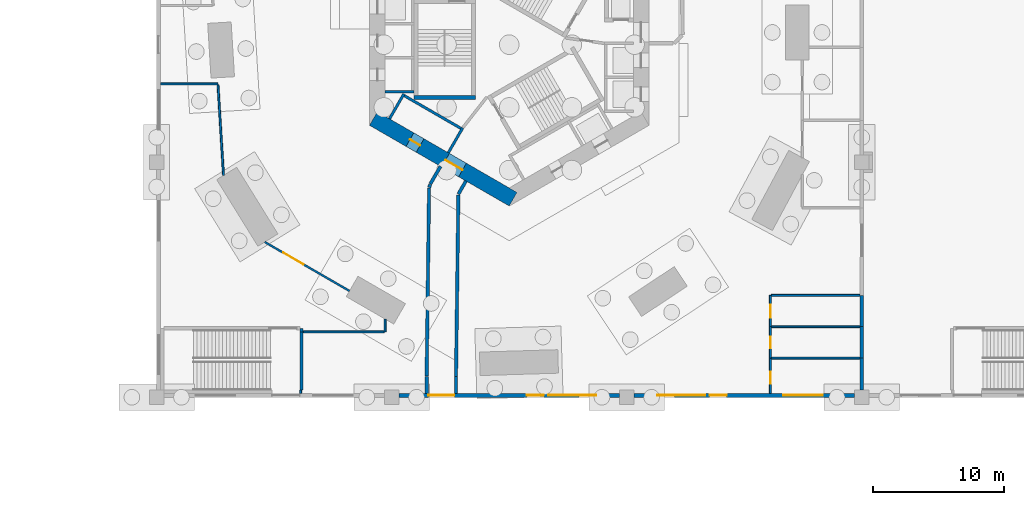
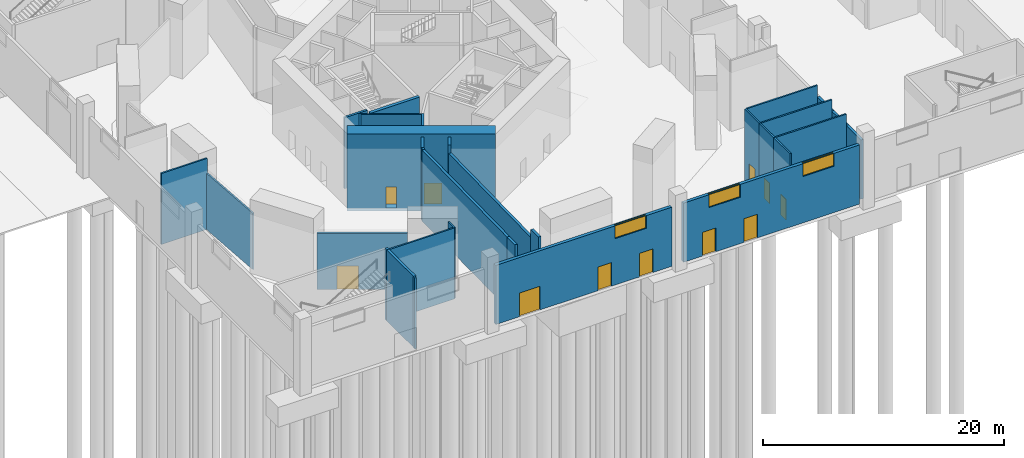
# One storey, part 6 of 16: 32 walls, 11 doors, 3 windows, 14 openings.
"""IFC4 building model written with IfcOpenShell, lengths in metres."""

from ifc_helpers import new_model, si_unit, direction, frame, frame_2d, origin, place, context, subcontext, project, spatial, rectangle, extrude, material, layer, layer_set, type_object, element, fill, save


model = new_model("IFC4")

# Units and contexts
model_context = context("Model", 3, precision=1e-05, world=origin(), true_north=direction((0.0, 1.0)))
body_context = subcontext(model_context, "Body", "Model", "MODEL_VIEW")
ifc_project = project(units=[si_unit("LENGTHUNIT", "METRE"), si_unit("AREAUNIT", "SQUARE_METRE"), si_unit("VOLUMEUNIT", "CUBIC_METRE"), si_unit("PLANEANGLEUNIT", "RADIAN"), si_unit("MASSUNIT", "GRAM", prefix="KILO")], contexts=[model_context])

# Site, building, storey
site_placement = place(None, origin())
site = spatial("IfcSite", under=ifc_project, at=site_placement, CompositionType="ELEMENT")
building_placement = place(site_placement, origin())
building = spatial("IfcBuilding", under=site, at=building_placement, Name="Vanh Sen Convention Tower", CompositionType="ELEMENT")
storey_placement = place(building_placement, origin())
storey = spatial("IfcBuildingStorey", under=building, at=storey_placement, Name="L00", CompositionType="ELEMENT", Elevation=0.0)

# Walls
ifc_material_1 = material(Name="Concrete C40/50", Category="concrete")
ifc_layer_1 = layer(ifc_material_1, 0.25)
ifc_layer_set_1 = layer_set([ifc_layer_1], Name="Concrete C40/50")
wall_type_1 = type_object("IfcWallType", Name="Concrete wall 250 EI 180", PredefinedType="SOLIDWALL", material=ifc_layer_set_1)
wall_1_placement = place(storey_placement, frame((27.0, -26.449951171875, 0.0), z_axis=(0.0, 0.0, 1.0), x_axis=(0.0, 1.0, 0.0)))
element("IfcWall", 1, at=wall_1_placement, inside=storey, type_object=wall_type_1, Name="Fire-resisting wall L00-003", PredefinedType="SOLIDWALL", context=body_context, shape_type="SweptSolid", body=[
    extrude(rectangle(XDim=2.449951171875, YDim=0.25, at=frame_2d((1.22509765625, 0.0))), origin(), (0.0, 0.0, 1.0), 6.0),
])
wall_2_placement = place(storey_placement, frame((27.0, -24.0, 0.0), z_axis=(0.0, 0.0, 1.0), x_axis=(0.0, 1.0, 0.0)))
element("IfcWall", 2, at=wall_2_placement, inside=storey, type_object=wall_type_1, Name="Fire-resisting wall L00-009", PredefinedType="SOLIDWALL", context=body_context, shape_type="SweptSolid", body=[
    extrude(rectangle(XDim=2.39990234375, YDim=0.25, at=frame_2d((1.199951171875, 0.0))), origin(), (0.0, 0.0, 1.0), 6.0),
])
wall_3_placement = place(storey_placement, frame((27.0, -21.60009765625, 0.0), z_axis=(0.0, 0.0, 1.0), x_axis=(0.0, 1.0, 0.0)))
element("IfcWall", 3, at=wall_3_placement, inside=storey, type_object=wall_type_1, Name="Fire-resisting wall L00-017", PredefinedType="SOLIDWALL", context=body_context, shape_type="SweptSolid", body=[
    extrude(rectangle(XDim=2.400146484375, YDim=0.25, at=frame_2d((1.2001953125, 0.0))), origin(), (0.0, 0.0, 1.0), 6.0),
])
ifc_layer_2 = layer(ifc_material_1, 0.25)
ifc_layer_set_2 = layer_set([ifc_layer_2], Name="Concrete C40/50")
wall_type_2 = type_object("IfcWallType", Name="Concrete wall 250 REI 180", PredefinedType="SOLIDWALL", material=ifc_layer_set_2)
wall_4_placement = place(storey_placement, frame((-6.324951171875, -26.699951171875, 0.0), z_axis=(0.0, 0.0, 1.0), x_axis=(0.0, 1.0, 0.0)))
element("IfcWall", 4, at=wall_4_placement, inside=storey, type_object=wall_type_2, Name="Fire-resisting wall L00-001", PredefinedType="SOLIDWALL", context=body_context, shape_type="SweptSolid", body=[
    extrude(rectangle(XDim=1.303466796875, YDim=0.25, at=frame_2d((0.65185546875, 0.0))), origin(), (0.0, 0.0, 1.0), 7.199951171875),
])
wall_5_placement = place(storey_placement, frame((-4.074951171875, -25.427490234375, 0.0), z_axis=(0.0, 0.0, 1.0), x_axis=(0.0, -1.0, 0.0)))
element("IfcWall", 5, at=wall_5_placement, inside=storey, type_object=wall_type_2, Name="Fire-resisting wall L00-005", PredefinedType="SOLIDWALL", context=body_context, shape_type="SweptSolid", body=[
    extrude(rectangle(XDim=1.2724609375, YDim=0.25, at=frame_2d((0.63623046875, 0.0))), origin(), (0.0, 0.0, 1.0), 7.199951171875),
])
wall_6_placement = place(storey_placement, frame((-6.324951171875, -25.388916015625, 0.0), z_axis=(0.0, 0.0, 1.0), x_axis=(0.013041558947, 0.999914955254, 0.0)))
element("IfcWall", 6, at=wall_6_placement, inside=storey, type_object=wall_type_2, Name="Fire-resisting wall L00-006", PredefinedType="SOLIDWALL", context=body_context, shape_type="SweptSolid", body=[
    extrude(rectangle(XDim=14.41455078125, YDim=0.25, at=frame_2d((7.207275390625, 0.0))), origin(), (0.0, 0.0, 1.0), 7.199951171875),
])
wall_7_placement = place(storey_placement, frame((-15.89990234375, -22.0, 0.0), z_axis=(0.0, 0.0, 1.0), x_axis=(0.0, -1.0, 0.0)))
element("IfcWall", 7, at=wall_7_placement, inside=storey, type_object=wall_type_2, Name="Fire-resisting wall L00-010", PredefinedType="SOLIDWALL", context=body_context, shape_type="SweptSolid", body=[
    extrude(rectangle(XDim=4.43994140625, YDim=0.25, at=frame_2d((2.219970703125, 0.0))), origin(), (0.0, 0.0, 1.0), 7.199951171875),
])
wall_8_placement = place(storey_placement, frame((-15.89990234375, -21.72509765625, 0.0), z_axis=(0.0, 0.0, 1.0), x_axis=(0.0, -1.0, 0.0)))
element("IfcWall", 8, at=wall_8_placement, inside=storey, type_object=wall_type_2, Name="Fire-resisting wall L00-013", PredefinedType="SOLIDWALL", context=body_context, shape_type="SweptSolid", body=[
    extrude(rectangle(XDim=0.27490234375, YDim=0.25, at=frame_2d((0.137451171875, 0.0))), origin(), (0.0, 0.0, 1.0), 7.199951171875),
])
wall_9_placement = place(storey_placement, frame((-3.893798828125, -11.5029296875, 0.0), z_axis=(0.0, 0.0, 1.0), x_axis=(-0.013027180936, -0.999915142678, 0.0)))
element("IfcWall", 9, at=wall_9_placement, inside=storey, type_object=wall_type_2, Name="Fire-resisting wall L00-025", PredefinedType="SOLIDWALL", context=body_context, shape_type="SweptSolid", body=[
    extrude(rectangle(XDim=13.90576171875, YDim=0.25, at=frame_2d((6.952880859375, 0.0))), origin(), (0.0, 0.0, 1.0), 6.39990234375),
])
wall_10_placement = place(storey_placement, frame((-6.12646484375, -10.93701171875, 0.0), z_axis=(0.0, 0.0, 1.0), x_axis=(0.265362064493, 0.964148834324, 0.0)))
element("IfcWall", 10, at=wall_10_placement, inside=storey, type_object=wall_type_2, Name="Fire-resisting wall L00-026", PredefinedType="SOLIDWALL", context=body_context, shape_type="SweptSolid", body=[
    extrude(rectangle(XDim=0.248291015625, YDim=0.25, at=frame_2d((0.1240234375, 0.0))), origin(), (0.0, 0.0, 1.0), 7.199951171875),
])
wall_11_placement = place(storey_placement, frame((-6.04052734375, -10.662841796875, 0.0), z_axis=(0.0, 0.0, 1.0), x_axis=(0.499871995438, 0.866099294641, 0.0)))
element("IfcWall", 11, at=wall_11_placement, inside=storey, type_object=wall_type_2, Name="Fire-resisting wall L00-027", PredefinedType="SOLIDWALL", context=body_context, shape_type="SweptSolid", body=[
    extrude(rectangle(XDim=1.5546875, YDim=0.25, at=frame_2d((0.77734375, 0.0))), origin(), (0.0, 0.0, 1.0), 7.199951171875),
])
wall_12_placement = place(storey_placement, frame((-3.31494140625, -10.44140625, 0.0), z_axis=(0.0, 0.0, 1.0), x_axis=(-0.499862549262, -0.866104746463, 0.0)))
element("IfcWall", 12, at=wall_12_placement, inside=storey, type_object=wall_type_2, Name="Fire-resisting wall L00-028", PredefinedType="SOLIDWALL", context=body_context, shape_type="SweptSolid", body=[
    extrude(rectangle(XDim=1.156494140625, YDim=0.25, at=frame_2d((0.578125, 0.0))), origin(), (0.0, 0.0, 1.0), 7.199951171875),
])
wall_13_placement = place(storey_placement, frame((-16.050048828125, -26.574951171875, 0.0), z_axis=(0.0, 0.0, 1.0), x_axis=(1.0, 0.0, 0.0)))
element("IfcWall", 13, at=wall_13_placement, inside=storey, type_object=wall_type_2, Name="Stair enclosure wall PS6 L00", PredefinedType="SOLIDWALL", context=body_context, shape_type="SweptSolid", body=[
    extrude(rectangle(XDim=0.150146484375, YDim=0.25, at=frame_2d((0.0751953125, 0.0))), origin(), (0.0, 0.0, 1.0), 7.199951171875),
])

# Wall, openings, doors
ifc_material_2 = material(Name="Concrete C80/95", Category="concrete")
ifc_layer_3 = layer(ifc_material_2, 1.199951171875)
ifc_layer_set_3 = layer_set([ifc_layer_3], Name="Concrete C80/95")
wall_type_3 = type_object("IfcWallType", Name="Core outer wall 1200 C80/95", PredefinedType="SHEAR", material=ifc_layer_set_3)
wall_14_placement = place(storey_placement, frame((-10.39990234375, -5.657958984375, -0.300048828125), z_axis=(0.0, 0.0, 1.0), x_axis=(0.866021384402, -0.500006961711, 0.0)))
wall_14 = element("IfcWall", 14, at=wall_14_placement, inside=storey, type_object=wall_type_3, Name="Core wall face SW L00", PredefinedType="SHEAR", context=body_context, shape_type="SweptSolid", body=[
    extrude(rectangle(XDim=12.355224609375, YDim=1.199951171875, at=frame_2d((6.177734375, 0.0))), origin(), (0.0, 0.0, 1.0), 7.800048828125),
])
opening_1_placement = place(wall_14_placement, frame((6.377685546875, 0.0, 0.300048828125)))
opening_1 = element("IfcOpeningElement", 15, at=opening_1_placement, cuts=wall_14, Name="Opening D00003", PredefinedType="OPENING", context=body_context, shape_type="SweptSolid", body=[
    extrude(rectangle(XDim=1.5, YDim=2.10009765625, at=frame_2d((0.75, 1.050048828125))), frame((0.0, 0.60986328125, 0.0), z_axis=(0.0, -1.0, 0.0), x_axis=(1.0, 0.0, 0.0)), (0.0, 0.0, 1.0), 1.219970703125),
])
opening_2_placement = place(wall_14_placement, frame((3.227783203125, 0.0, 0.300048828125)))
opening_2 = element("IfcOpeningElement", 16, at=opening_2_placement, cuts=wall_14, Name="Opening D00010", PredefinedType="OPENING", context=body_context, shape_type="SweptSolid", body=[
    extrude(rectangle(XDim=0.89990234375, YDim=2.10009765625, at=frame_2d((0.449951171875, 1.050048828125))), frame((0.0, 0.60986328125, 0.0), z_axis=(0.0, -1.0, 0.0), x_axis=(1.0, 0.0, 0.0)), (0.0, 0.0, 1.0), 1.219970703125),
])
ifc_material_3 = material(Name="Steel S355", Category="steel")
door_type_1 = type_object("IfcDoorType", Name="Plant door 900", OperationType="SINGLE_SWING_LEFT", PredefinedType="DOOR", material=ifc_material_3)
door_1_placement = place(opening_2_placement, origin())
door_1 = element("IfcDoor", 17, at=door_1_placement, inside=storey, type_object=door_type_1, Name="Plant door D00010", OperationType="SINGLE_SWING_LEFT", OverallHeight=2.10009765625, OverallWidth=0.89990234375, PredefinedType="DOOR", context=body_context, shape_type="SweptSolid", body=[
    extrude(rectangle(XDim=0.89990234375, YDim=2.10009765625, at=frame_2d((0.449951171875, 1.050048828125))), frame((0.0, 0.02490234375, 0.0), z_axis=(0.0, -1.0, 0.0), x_axis=(1.0, 0.0, 0.0)), (0.0, 0.0, 1.0), 0.050048828125),
])
fill(opening_2, door_1)
door_type_2 = type_object("IfcDoorType", Name="Stair lobby door 1500", OperationType="DOUBLE_DOOR_SINGLE_SWING", PredefinedType="DOOR", material=ifc_material_3)
door_2_placement = place(opening_1_placement, origin())
door_2 = element("IfcDoor", 18, at=door_2_placement, inside=storey, type_object=door_type_2, Name="Stair lobby door D00003", OperationType="DOUBLE_DOOR_SINGLE_SWING", OverallHeight=2.10009765625, OverallWidth=1.5, PredefinedType="DOOR", context=body_context, shape_type="SweptSolid", body=[
    extrude(rectangle(XDim=1.5, YDim=2.10009765625, at=frame_2d((0.75, 1.050048828125))), frame((0.0, 0.02490234375, 0.0), z_axis=(0.0, -1.0, 0.0), x_axis=(1.0, 0.0, 0.0)), (0.0, 0.0, 1.0), 0.050048828125),
])
fill(opening_1, door_2)

# Walls
ifc_layer_4 = layer(ifc_material_1, 0.199951171875)
ifc_layer_set_4 = layer_set([ifc_layer_4], Name="Concrete C40/50")
wall_type_4 = type_object("IfcWallType", Name="Lift shaft wall 200", PredefinedType="PARTITIONING", material=ifc_layer_set_4)
wall_15_placement = place(storey_placement, frame((-7.300048828125, -3.60009765625, 0.0), z_axis=(0.0, 0.0, 1.0), x_axis=(-1.0, 0.0, 0.0)))
element("IfcWall", 19, at=wall_15_placement, inside=storey, type_object=wall_type_4, Name="Lift shaft wall L00", PredefinedType="PARTITIONING", context=body_context, shape_type="SweptSolid", body=[
    extrude(rectangle(XDim=2.199951171875, YDim=0.199951171875, at=frame_2d((1.10009765625, 0.0))), origin(), (0.0, 0.0, 1.0), 7.199951171875),
])
wall_16_placement = place(storey_placement, frame((-8.203369140625, -3.80859375, 0.0), z_axis=(0.0, 0.0, 1.0), x_axis=(0.866028230842, -0.499995103361, 0.0)))
element("IfcWall", 20, at=wall_16_placement, inside=storey, type_object=wall_type_4, Name="Lift shaft wall L00", PredefinedType="PARTITIONING", context=body_context, shape_type="SweptSolid", body=[
    extrude(rectangle(XDim=5.39990234375, YDim=0.199951171875, at=frame_2d((2.699951171875, 0.0))), origin(), (0.0, 0.0, 1.0), 7.199951171875),
])
wall_17_placement = place(storey_placement, frame((-8.066650390625, -3.77197265625, 0.0), z_axis=(0.0, 0.0, 1.0), x_axis=(-0.50002983664, -0.866008176907, 0.0)))
element("IfcWall", 21, at=wall_17_placement, inside=storey, type_object=wall_type_4, Name="Lift shaft wall L00", PredefinedType="PARTITIONING", context=body_context, shape_type="SweptSolid", body=[
    extrude(rectangle(XDim=2.199951171875, YDim=0.199951171875, at=frame_2d((1.10009765625, 0.0))), origin(), (0.0, 0.0, 1.0), 7.199951171875),
])
wall_18_placement = place(storey_placement, frame((-3.5634765625, -6.3720703125, 0.0), z_axis=(0.0, 0.0, 1.0), x_axis=(-0.499994660107, -0.866028486751, 0.0)))
element("IfcWall", 22, at=wall_18_placement, inside=storey, type_object=wall_type_4, Name="Lift shaft wall L00", PredefinedType="PARTITIONING", context=body_context, shape_type="SweptSolid", body=[
    extrude(rectangle(XDim=2.19970703125, YDim=0.199951171875, at=frame_2d((1.099853515625, 0.0))), origin(), (0.0, 0.0, 1.0), 7.199951171875),
])

# Wall, opening, door
ifc_material_4 = material(Name="Gypsum board on steel studs", Category="steel")
ifc_layer_5 = layer(ifc_material_4, 0.14990234375)
ifc_layer_set_5 = layer_set([ifc_layer_5], Name="Gypsum board on steel studs")
wall_type_5 = type_object("IfcWallType", Name="Partition 150", PredefinedType="PARTITIONING", material=ifc_layer_set_5)
wall_19_placement = place(storey_placement, frame((20.0, -26.699951171875, 0.0), z_axis=(0.0, 0.0, 1.0), x_axis=(0.0, 1.0, 0.0)))
wall_19 = element("IfcWall", 23, at=wall_19_placement, inside=storey, type_object=wall_type_5, Name="Partition L00-002", PredefinedType="PARTITIONING", context=body_context, shape_type="SweptSolid", body=[
    extrude(rectangle(XDim=2.699951171875, YDim=0.14990234375, at=frame_2d((1.35009765625, 0.0))), origin(), (0.0, 0.0, 1.0), 7.199951171875),
])
opening_3_placement = place(wall_19_placement, frame((0.75, 0.0, 0.0)))
opening_3 = element("IfcOpeningElement", 24, at=opening_3_placement, cuts=wall_19, Name="Opening D00101", PredefinedType="OPENING", context=body_context, shape_type="SweptSolid", body=[
    extrude(rectangle(XDim=0.89990234375, YDim=2.10009765625, at=frame_2d((0.449951171875, 1.050048828125))), frame((0.0, 0.0849609375, 0.0), z_axis=(0.0, -1.0, 0.0), x_axis=(1.0, 0.0, 0.0)), (0.0, 0.0, 1.0), 0.169921875),
])
ifc_material_5 = material(Name="Timber door in steel frame", Category="steel")
door_type_3 = type_object("IfcDoorType", Name="Room door 900", OperationType="SINGLE_SWING_LEFT", PredefinedType="DOOR", material=ifc_material_5)
door_3_placement = place(opening_3_placement, origin())
door_3 = element("IfcDoor", 25, at=door_3_placement, inside=storey, type_object=door_type_3, Name="Room door D00101", OperationType="SINGLE_SWING_LEFT", OverallHeight=2.10009765625, OverallWidth=0.89990234375, PredefinedType="DOOR", context=body_context, shape_type="SweptSolid", body=[
    extrude(rectangle(XDim=0.89990234375, YDim=2.10009765625, at=frame_2d((0.449951171875, 1.050048828125))), frame((0.0, 0.02490234375, 0.0), z_axis=(0.0, -1.0, 0.0), x_axis=(1.0, 0.0, 0.0)), (0.0, 0.0, 1.0), 0.050048828125),
])
fill(opening_3, door_3)

wall_20_placement = place(storey_placement, frame((20.0, -24.0, 0.0), z_axis=(0.0, 0.0, 1.0), x_axis=(0.0, 1.0, 0.0)))
wall_20 = element("IfcWall", 26, at=wall_20_placement, inside=storey, type_object=wall_type_5, Name="Partition L00-007", PredefinedType="PARTITIONING", context=body_context, shape_type="SweptSolid", body=[
    extrude(rectangle(XDim=2.39990234375, YDim=0.14990234375, at=frame_2d((1.199951171875, 0.0))), origin(), (0.0, 0.0, 1.0), 7.199951171875),
])
opening_4_placement = place(wall_20_placement, frame((0.75, 0.0, 0.0)))
opening_4 = element("IfcOpeningElement", 27, at=opening_4_placement, cuts=wall_20, Name="Opening D00102", PredefinedType="OPENING", context=body_context, shape_type="SweptSolid", body=[
    extrude(rectangle(XDim=0.89990234375, YDim=2.10009765625, at=frame_2d((0.449951171875, 1.050048828125))), frame((0.0, 0.0849609375, 0.0), z_axis=(0.0, -1.0, 0.0), x_axis=(1.0, 0.0, 0.0)), (0.0, 0.0, 1.0), 0.169921875),
])
door_4_placement = place(opening_4_placement, origin())
door_4 = element("IfcDoor", 28, at=door_4_placement, inside=storey, type_object=door_type_3, Name="Room door D00102", OperationType="SINGLE_SWING_LEFT", OverallHeight=2.10009765625, OverallWidth=0.89990234375, PredefinedType="DOOR", context=body_context, shape_type="SweptSolid", body=[
    extrude(rectangle(XDim=0.89990234375, YDim=2.10009765625, at=frame_2d((0.449951171875, 1.050048828125))), frame((0.0, 0.02490234375, 0.0), z_axis=(0.0, -1.0, 0.0), x_axis=(1.0, 0.0, 0.0)), (0.0, 0.0, 1.0), 0.050048828125),
])
fill(opening_4, door_4)

# Wall
wall_21_placement = place(storey_placement, frame((20.080078125, -24.0, 0.0), z_axis=(0.0, 0.0, 1.0), x_axis=(1.0, 0.0, 0.0)))
element("IfcWall", 29, at=wall_21_placement, inside=storey, type_object=wall_type_5, Name="Partition L00-008", PredefinedType="PARTITIONING", context=body_context, shape_type="SweptSolid", body=[
    extrude(rectangle(XDim=6.780029296875, YDim=0.14990234375, at=frame_2d((3.39013671875, 0.0))), origin(), (0.0, 0.0, 1.0), 7.199951171875),
])

# Wall, opening, door
wall_22_placement = place(storey_placement, frame((20.0, -21.60009765625, 0.0), z_axis=(0.0, 0.0, 1.0), x_axis=(0.0, 1.0, 0.0)))
wall_22 = element("IfcWall", 30, at=wall_22_placement, inside=storey, type_object=wall_type_5, Name="Partition L00-015", PredefinedType="PARTITIONING", context=body_context, shape_type="SweptSolid", body=[
    extrude(rectangle(XDim=2.400146484375, YDim=0.14990234375, at=frame_2d((1.2001953125, 0.0))), origin(), (0.0, 0.0, 1.0), 7.199951171875),
])
opening_5_placement = place(wall_22_placement, frame((0.699951171875, 0.0, 0.0)))
opening_5 = element("IfcOpeningElement", 31, at=opening_5_placement, cuts=wall_22, Name="Opening D00105", PredefinedType="OPENING", context=body_context, shape_type="SweptSolid", body=[
    extrude(rectangle(XDim=1.0, YDim=2.10009765625, at=frame_2d((0.5, 1.050048828125))), frame((0.0, 0.0849609375, 0.0), z_axis=(0.0, -1.0, 0.0), x_axis=(1.0, 0.0, 0.0)), (0.0, 0.0, 1.0), 0.169921875),
])
door_type_4 = type_object("IfcDoorType", Name="Room door 1000", OperationType="SINGLE_SWING_LEFT", PredefinedType="DOOR", material=ifc_material_5)
door_5_placement = place(opening_5_placement, origin())
door_5 = element("IfcDoor", 32, at=door_5_placement, inside=storey, type_object=door_type_4, Name="Room door D00105", OperationType="SINGLE_SWING_LEFT", OverallHeight=2.10009765625, OverallWidth=1.0, PredefinedType="DOOR", context=body_context, shape_type="SweptSolid", body=[
    extrude(rectangle(XDim=1.0, YDim=2.10009765625, at=frame_2d((0.5, 1.050048828125))), frame((0.0, 0.02490234375, 0.0), z_axis=(0.0, -1.0, 0.0), x_axis=(1.0, 0.0, 0.0)), (0.0, 0.0, 1.0), 0.050048828125),
])
fill(opening_5, door_5)

# Walls
for number, where, z_axis, x_axis, name in (
    (33, (20.080078125, -21.60009765625, 0.0), (0.0, 0.0, 1.0), (1.0, 0.0, 0.0), "Partition L00-016"),
    (34, (20.080078125, -19.199951171875, 0.0), (0.0, 0.0, 1.0), (1.0, 0.0, 0.0), "Partition L00-019"),
):
    element("IfcWall", number, at=place(storey_placement, frame(where, z_axis=z_axis, x_axis=x_axis)), inside=storey, type_object=wall_type_5, Name=name, PredefinedType="PARTITIONING", context=body_context, shape_type="SweptSolid", body=[
        extrude(rectangle(XDim=6.780029296875, YDim=0.14990234375, at=frame_2d((3.39013671875, 0.0))), origin(), (0.0, 0.0, 1.0), 7.199951171875),
    ])
ifc_layer_6 = layer(ifc_material_4, 0.14990234375)
ifc_layer_set_6 = layer_set([ifc_layer_6], Name="Gypsum board on steel studs")
wall_type_6 = type_object("IfcWallType", Name="Partition 150 EI 60", PredefinedType="PARTITIONING", material=ifc_layer_set_6)
wall_23_placement = place(storey_placement, frame((-9.580078125, -22.0, 0.0), z_axis=(0.0, 0.0, 1.0), x_axis=(-1.0, 0.0, 0.0)))
element("IfcWall", 35, at=wall_23_placement, inside=storey, type_object=wall_type_6, Name="Partition L00-011", PredefinedType="PARTITIONING", context=body_context, shape_type="SweptSolid", body=[
    extrude(rectangle(XDim=6.179931640625, YDim=0.14990234375, at=frame_2d((3.08984375, 0.0))), origin(), (0.0, 0.0, 1.0), 7.199951171875),
])
wall_24_placement = place(storey_placement, frame((-9.5, -21.015380859375, 0.0), z_axis=(0.0, 0.0, 1.0), x_axis=(0.0, -1.0, 0.0)))
element("IfcWall", 36, at=wall_24_placement, inside=storey, type_object=wall_type_6, Name="Partition L00-018", PredefinedType="PARTITIONING", context=body_context, shape_type="SweptSolid", body=[
    extrude(rectangle(XDim=0.984619140625, YDim=0.14990234375, at=frame_2d((0.4921875, 0.0))), origin(), (0.0, 0.0, 1.0), 7.199951171875),
])

# Wall, opening, door
wall_25_placement = place(storey_placement, frame((-18.72216796875, -15.113525390625, 0.0), z_axis=(0.0, 0.0, 1.0), x_axis=(0.866029347258, -0.49999316964, 0.0)))
wall_25 = element("IfcWall", 37, at=wall_25_placement, inside=storey, type_object=wall_type_6, Name="Partition L00-021", PredefinedType="PARTITIONING", context=body_context, shape_type="SweptSolid", body=[
    extrude(rectangle(XDim=7.494140625, YDim=0.14990234375, at=frame_2d((3.7470703125, 0.0))), origin(), (0.0, 0.0, 1.0), 5.699951171875),
])
opening_6_placement = place(wall_25_placement, frame((1.6328125, 0.0, 0.0)))
opening_6 = element("IfcOpeningElement", 38, at=opening_6_placement, cuts=wall_25, Name="Opening D00107", PredefinedType="OPENING", context=body_context, shape_type="SweptSolid", body=[
    extrude(rectangle(XDim=1.800048828125, YDim=2.39990234375, at=frame_2d((0.89990234375, 1.199951171875))), frame((0.0, 0.0849609375, 0.0), z_axis=(0.0, -1.0, 0.0), x_axis=(1.0, 0.0, 0.0)), (0.0, 0.0, 1.0), 0.169921875),
])
door_type_5 = type_object("IfcDoorType", Name="Double door 1800 EI 30", OperationType="DOUBLE_DOOR_SINGLE_SWING", PredefinedType="DOOR", material=ifc_material_5)
door_6_placement = place(opening_6_placement, origin())
door_6 = element("IfcDoor", 39, at=door_6_placement, inside=storey, type_object=door_type_5, Name="Double door D00107", OperationType="DOUBLE_DOOR_SINGLE_SWING", OverallHeight=2.39990234375, OverallWidth=1.800048828125, PredefinedType="DOOR", context=body_context, shape_type="SweptSolid", body=[
    extrude(rectangle(XDim=1.800048828125, YDim=2.39990234375, at=frame_2d((0.89990234375, 1.199951171875))), frame((0.0, 0.02490234375, 0.0), z_axis=(0.0, -1.0, 0.0), x_axis=(1.0, 0.0, 0.0)), (0.0, 0.0, 1.0), 0.050048828125),
])
fill(opening_6, door_6)

# Walls
wall_26_placement = place(storey_placement, frame((-22.3037109375, -3.079833984375, 0.0), z_axis=(0.0, 0.0, 1.0), x_axis=(0.061027866191, -0.998136062643, 0.0)))
element("IfcWall", 40, at=wall_26_placement, inside=storey, type_object=wall_type_6, Name="Partition L00-039", PredefinedType="PARTITIONING", context=body_context, shape_type="SweptSolid", body=[
    extrude(rectangle(XDim=6.94482421875, YDim=0.14990234375, at=frame_2d((3.472412109375, 0.0))), origin(), (0.0, 0.0, 1.0), 5.699951171875),
])
wall_27_placement = place(storey_placement, frame((-26.699951171875, -3.0, 0.0), z_axis=(0.0, 0.0, 1.0), x_axis=(1.0, 0.0, 0.0)))
element("IfcWall", 41, at=wall_27_placement, inside=storey, type_object=wall_type_6, Name="Partition L00-040", PredefinedType="PARTITIONING", context=body_context, shape_type="SweptSolid", body=[
    extrude(rectangle(XDim=4.391357421875, YDim=0.14990234375, at=frame_2d((2.19580078125, 0.0))), origin(), (0.0, 0.0, 1.0), 7.199951171875),
])

# Wall, openings, doors, window
ifc_material_6 = material(Name="Concrete C50/60", Category="concrete")
ifc_layer_7 = layer(ifc_material_6, 0.300048828125)
ifc_layer_set_7 = layer_set([ifc_layer_7], Name="Concrete C50/60")
wall_type_7 = type_object("IfcWallType", Name="Podium wall 300", PredefinedType="STANDARD", material=ifc_layer_set_7)
wall_28_placement = place(storey_placement, frame((-8.449951171875, -26.85009765625, 0.0), z_axis=(0.0, 0.0, 1.0), x_axis=(1.0, 0.0, 0.0)))
wall_28 = element("IfcWall", 42, at=wall_28_placement, inside=storey, type_object=wall_type_7, Name="Podium wall S2 L00", PredefinedType="STANDARD", context=body_context, shape_type="SweptSolid", body=[
    extrude(rectangle(XDim=16.89990234375, YDim=0.300048828125, at=frame_2d((8.449951171875, 0.0))), origin(), (0.0, 0.0, 1.0), 6.0),
])
opening_7_placement = place(wall_28_placement, frame((11.449951171875, 0.0, 4.699951171875)))
opening_7 = element("IfcOpeningElement", 43, at=opening_7_placement, cuts=wall_28, Name="Opening WP1-S4", PredefinedType="OPENING", context=body_context, shape_type="SweptSolid", body=[
    extrude(rectangle(XDim=3.0, YDim=1.300048828125, at=frame_2d((1.5, 0.64990234375))), frame((0.0, 0.159912109375, 0.0), z_axis=(0.0, -1.0, 0.0), x_axis=(1.0, 0.0, 0.0)), (0.0, 0.0, 1.0), 0.320068359375),
])
opening_8_placement = place(wall_28_placement, frame((9.800048828125, 0.0, 0.0)))
opening_8 = element("IfcOpeningElement", 44, at=opening_8_placement, cuts=wall_28, Name="Opening EX12", PredefinedType="OPENING", context=body_context, shape_type="SweptSolid", body=[
    extrude(rectangle(XDim=1.300048828125, YDim=2.39990234375, at=frame_2d((0.64990234375, 1.199951171875))), frame((0.0, 0.159912109375, 0.0), z_axis=(0.0, -1.0, 0.0), x_axis=(1.0, 0.0, 0.0)), (0.0, 0.0, 1.0), 0.320068359375),
])
opening_9_placement = place(wall_28_placement, frame((13.800048828125, 0.0, 0.0)))
opening_9 = element("IfcOpeningElement", 45, at=opening_9_placement, cuts=wall_28, Name="Opening EX13", PredefinedType="OPENING", context=body_context, shape_type="SweptSolid", body=[
    extrude(rectangle(XDim=1.300048828125, YDim=2.39990234375, at=frame_2d((0.64990234375, 1.199951171875))), frame((0.0, 0.159912109375, 0.0), z_axis=(0.0, -1.0, 0.0), x_axis=(1.0, 0.0, 0.0)), (0.0, 0.0, 1.0), 0.320068359375),
])
opening_10_placement = place(wall_28_placement, frame((2.25, 0.0, 0.0)))
opening_10 = element("IfcOpeningElement", 46, at=opening_10_placement, cuts=wall_28, Name="Opening SD3", PredefinedType="OPENING", context=body_context, shape_type="SweptSolid", body=[
    extrude(rectangle(XDim=2.0, YDim=2.39990234375, at=frame_2d((1.0, 1.199951171875))), frame((0.0, 0.159912109375, 0.0), z_axis=(0.0, -1.0, 0.0), x_axis=(1.0, 0.0, 0.0)), (0.0, 0.0, 1.0), 0.320068359375),
])
ifc_material_7 = material(Name="Aluminium and glass entrance door", Category="aluminium")
door_type_6 = type_object("IfcDoorType", Name="Entrance door 1300", OperationType="SINGLE_SWING_LEFT", PredefinedType="DOOR", material=ifc_material_7)
door_7_placement = place(opening_8_placement, frame((1.300048828125, 0.0, 0.0), z_axis=(0.0, 0.0, 1.0), x_axis=(-1.0, 0.0, 0.0)))
door_7 = element("IfcDoor", 47, at=door_7_placement, inside=storey, type_object=door_type_6, Name="Entrance door EX12", OperationType="SINGLE_SWING_RIGHT", OverallHeight=2.39990234375, OverallWidth=1.300048828125, PredefinedType="DOOR", context=body_context, shape_type="SweptSolid", body=[
    extrude(rectangle(XDim=1.300048828125, YDim=2.39990234375, at=frame_2d((0.64990234375, 1.199951171875))), frame((0.0, 0.02490234375, 0.0), z_axis=(0.0, -1.0, 0.0), x_axis=(1.0, 0.0, 0.0)), (0.0, 0.0, 1.0), 0.050048828125),
])
fill(opening_8, door_7)
door_8_placement = place(opening_9_placement, frame((1.300048828125, 0.0, 0.0), z_axis=(0.0, 0.0, 1.0), x_axis=(-1.0, 0.0, 0.0)))
door_8 = element("IfcDoor", 48, at=door_8_placement, inside=storey, type_object=door_type_6, Name="Entrance door EX13", OperationType="SINGLE_SWING_RIGHT", OverallHeight=2.39990234375, OverallWidth=1.300048828125, PredefinedType="DOOR", context=body_context, shape_type="SweptSolid", body=[
    extrude(rectangle(XDim=1.300048828125, YDim=2.39990234375, at=frame_2d((0.64990234375, 1.199951171875))), frame((0.0, 0.02490234375, 0.0), z_axis=(0.0, -1.0, 0.0), x_axis=(1.0, 0.0, 0.0)), (0.0, 0.0, 1.0), 0.050048828125),
])
fill(opening_9, door_8)
door_type_7 = type_object("IfcDoorType", Name="Entrance door 2000", OperationType="DOUBLE_DOOR_SINGLE_SWING", PredefinedType="DOOR", material=ifc_material_7)
door_9_placement = place(opening_10_placement, frame((2.0, 0.0, 0.0), z_axis=(0.0, 0.0, 1.0), x_axis=(-1.0, 0.0, 0.0)))
door_9 = element("IfcDoor", 49, at=door_9_placement, inside=storey, type_object=door_type_7, Name="Entrance door SD3", OperationType="DOUBLE_DOOR_SINGLE_SWING", OverallHeight=2.39990234375, OverallWidth=2.0, PredefinedType="DOOR", context=body_context, shape_type="SweptSolid", body=[
    extrude(rectangle(XDim=2.0, YDim=2.39990234375, at=frame_2d((1.0, 1.199951171875))), frame((0.0, 0.02490234375, 0.0), z_axis=(0.0, -1.0, 0.0), x_axis=(1.0, 0.0, 0.0)), (0.0, 0.0, 1.0), 0.050048828125),
])
fill(opening_10, door_9)
ifc_material_8 = material(Name="Aluminium frame with clear low-emissivity glass", Category="aluminium")
window_type = type_object("IfcWindowType", Name="Podium window 3000 x 1300", PartitioningType="SINGLE_PANEL", PredefinedType="WINDOW", material=ifc_material_8)
window_1_placement = place(opening_7_placement, origin())
window_1 = element("IfcWindow", 50, at=window_1_placement, inside=storey, type_object=window_type, Name="Window WP1-S4", OverallHeight=1.300048828125, OverallWidth=3.0, PartitioningType="SINGLE_PANEL", PredefinedType="WINDOW", context=body_context, shape_type="SweptSolid", body=[
    extrude(rectangle(XDim=3.0, YDim=1.300048828125, at=frame_2d((1.5, 0.64990234375))), frame((0.0, 0.030029296875, 0.0), z_axis=(0.0, -1.0, 0.0), x_axis=(1.0, 0.0, 0.0)), (0.0, 0.0, 1.0), 0.06005859375),
])
fill(opening_7, window_1)

# Wall, openings, doors, windows
wall_29_placement = place(storey_placement, frame((9.550048828125, -26.85009765625, 0.0), z_axis=(0.0, 0.0, 1.0), x_axis=(1.0, 0.0, 0.0)))
wall_29 = element("IfcWall", 51, at=wall_29_placement, inside=storey, type_object=wall_type_7, Name="Podium wall S3 L00", PredefinedType="STANDARD", context=body_context, shape_type="SweptSolid", body=[
    extrude(rectangle(XDim=16.89990234375, YDim=0.300048828125, at=frame_2d((8.449951171875, 0.0))), origin(), (0.0, 0.0, 1.0), 6.0),
])
opening_11_placement = place(wall_29_placement, frame((2.449951171875, 0.0, 4.699951171875)))
opening_11 = element("IfcOpeningElement", 52, at=opening_11_placement, cuts=wall_29, Name="Opening WP1-S5", PredefinedType="OPENING", context=body_context, shape_type="SweptSolid", body=[
    extrude(rectangle(XDim=3.0, YDim=1.300048828125, at=frame_2d((1.5, 0.64990234375))), frame((0.0, 0.159912109375, 0.0), z_axis=(0.0, -1.0, 0.0), x_axis=(1.0, 0.0, 0.0)), (0.0, 0.0, 1.0), 0.320068359375),
])
opening_12_placement = place(wall_29_placement, frame((11.449951171875, 0.0, 4.699951171875)))
opening_12 = element("IfcOpeningElement", 53, at=opening_12_placement, cuts=wall_29, Name="Opening WP1-S6", PredefinedType="OPENING", context=body_context, shape_type="SweptSolid", body=[
    extrude(rectangle(XDim=3.0, YDim=1.300048828125, at=frame_2d((1.5, 0.64990234375))), frame((0.0, 0.159912109375, 0.0), z_axis=(0.0, -1.0, 0.0), x_axis=(1.0, 0.0, 0.0)), (0.0, 0.0, 1.0), 0.320068359375),
])
opening_13_placement = place(wall_29_placement, frame((1.800048828125, 0.0, 0.0)))
opening_13 = element("IfcOpeningElement", 54, at=opening_13_placement, cuts=wall_29, Name="Opening EX14", PredefinedType="OPENING", context=body_context, shape_type="SweptSolid", body=[
    extrude(rectangle(XDim=1.300048828125, YDim=2.39990234375, at=frame_2d((0.64990234375, 1.199951171875))), frame((0.0, 0.159912109375, 0.0), z_axis=(0.0, -1.0, 0.0), x_axis=(1.0, 0.0, 0.0)), (0.0, 0.0, 1.0), 0.320068359375),
])
opening_14_placement = place(wall_29_placement, frame((5.800048828125, 0.0, 0.0)))
opening_14 = element("IfcOpeningElement", 55, at=opening_14_placement, cuts=wall_29, Name="Opening EX15", PredefinedType="OPENING", context=body_context, shape_type="SweptSolid", body=[
    extrude(rectangle(XDim=1.300048828125, YDim=2.39990234375, at=frame_2d((0.64990234375, 1.199951171875))), frame((0.0, 0.159912109375, 0.0), z_axis=(0.0, -1.0, 0.0), x_axis=(1.0, 0.0, 0.0)), (0.0, 0.0, 1.0), 0.320068359375),
])
door_10_placement = place(opening_13_placement, frame((1.300048828125, 0.0, 0.0), z_axis=(0.0, 0.0, 1.0), x_axis=(-1.0, 0.0, 0.0)))
door_10 = element("IfcDoor", 56, at=door_10_placement, inside=storey, type_object=door_type_6, Name="Entrance door EX14", OperationType="SINGLE_SWING_RIGHT", OverallHeight=2.39990234375, OverallWidth=1.300048828125, PredefinedType="DOOR", context=body_context, shape_type="SweptSolid", body=[
    extrude(rectangle(XDim=1.300048828125, YDim=2.39990234375, at=frame_2d((0.64990234375, 1.199951171875))), frame((0.0, 0.02490234375, 0.0), z_axis=(0.0, -1.0, 0.0), x_axis=(1.0, 0.0, 0.0)), (0.0, 0.0, 1.0), 0.050048828125),
])
fill(opening_13, door_10)
door_11_placement = place(opening_14_placement, frame((1.300048828125, 0.0, 0.0), z_axis=(0.0, 0.0, 1.0), x_axis=(-1.0, 0.0, 0.0)))
door_11 = element("IfcDoor", 57, at=door_11_placement, inside=storey, type_object=door_type_6, Name="Entrance door EX15", OperationType="SINGLE_SWING_RIGHT", OverallHeight=2.39990234375, OverallWidth=1.300048828125, PredefinedType="DOOR", context=body_context, shape_type="SweptSolid", body=[
    extrude(rectangle(XDim=1.300048828125, YDim=2.39990234375, at=frame_2d((0.64990234375, 1.199951171875))), frame((0.0, 0.02490234375, 0.0), z_axis=(0.0, -1.0, 0.0), x_axis=(1.0, 0.0, 0.0)), (0.0, 0.0, 1.0), 0.050048828125),
])
fill(opening_14, door_11)
window_2_placement = place(opening_11_placement, origin())
window_2 = element("IfcWindow", 58, at=window_2_placement, inside=storey, type_object=window_type, Name="Window WP1-S5", OverallHeight=1.300048828125, OverallWidth=3.0, PartitioningType="SINGLE_PANEL", PredefinedType="WINDOW", context=body_context, shape_type="SweptSolid", body=[
    extrude(rectangle(XDim=3.0, YDim=1.300048828125, at=frame_2d((1.5, 0.64990234375))), frame((0.0, 0.030029296875, 0.0), z_axis=(0.0, -1.0, 0.0), x_axis=(1.0, 0.0, 0.0)), (0.0, 0.0, 1.0), 0.06005859375),
])
fill(opening_11, window_2)
window_3_placement = place(opening_12_placement, origin())
window_3 = element("IfcWindow", 59, at=window_3_placement, inside=storey, type_object=window_type, Name="Window WP1-S6", OverallHeight=1.300048828125, OverallWidth=3.0, PartitioningType="SINGLE_PANEL", PredefinedType="WINDOW", context=body_context, shape_type="SweptSolid", body=[
    extrude(rectangle(XDim=3.0, YDim=1.300048828125, at=frame_2d((1.5, 0.64990234375))), frame((0.0, 0.030029296875, 0.0), z_axis=(0.0, -1.0, 0.0), x_axis=(1.0, 0.0, 0.0)), (0.0, 0.0, 1.0), 0.06005859375),
])
fill(opening_12, window_3)

# Wall
ifc_material_9 = material(Name="Concrete C60/75", Category="concrete")
ifc_layer_8 = layer(ifc_material_9, 0.300048828125)
ifc_layer_set_8 = layer_set([ifc_layer_8], Name="Concrete C60/75")
wall_type_8 = type_object("IfcWallType", Name="Stair wall 300", PredefinedType="SHEAR", material=ifc_layer_set_8)
wall_30_placement = place(storey_placement, frame((-2.60009765625, -4.06005859375, 0.0), z_axis=(0.0, 0.0, 1.0), x_axis=(-1.0, 0.0, 0.0)))
element("IfcWall", 60, at=wall_30_placement, inside=storey, type_object=wall_type_8, Name="Stair wall L00", PredefinedType="SHEAR", context=body_context, shape_type="SweptSolid", body=[
    extrude(rectangle(XDim=4.699951171875, YDim=0.300048828125, at=frame_2d((2.35009765625, 0.0))), origin(), (0.0, 0.0, 1.0), 7.199951171875),
])

save(model, "model.ifc")
